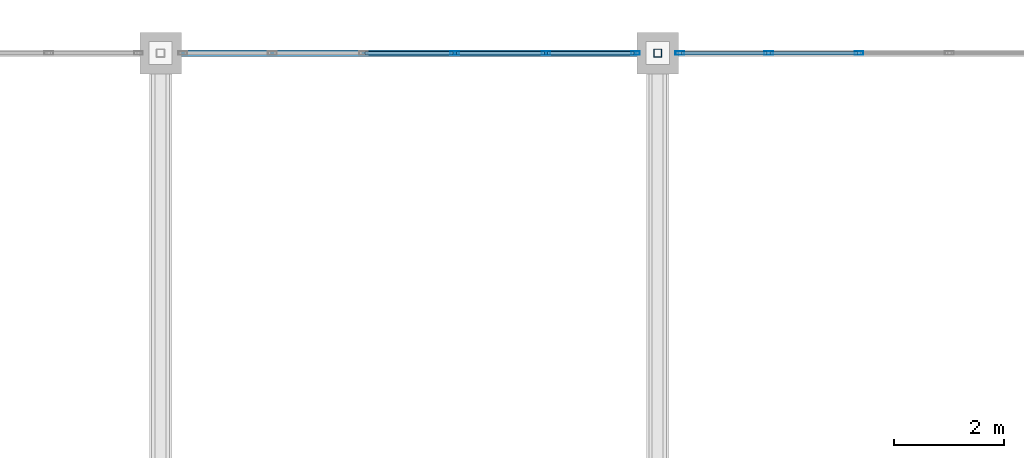
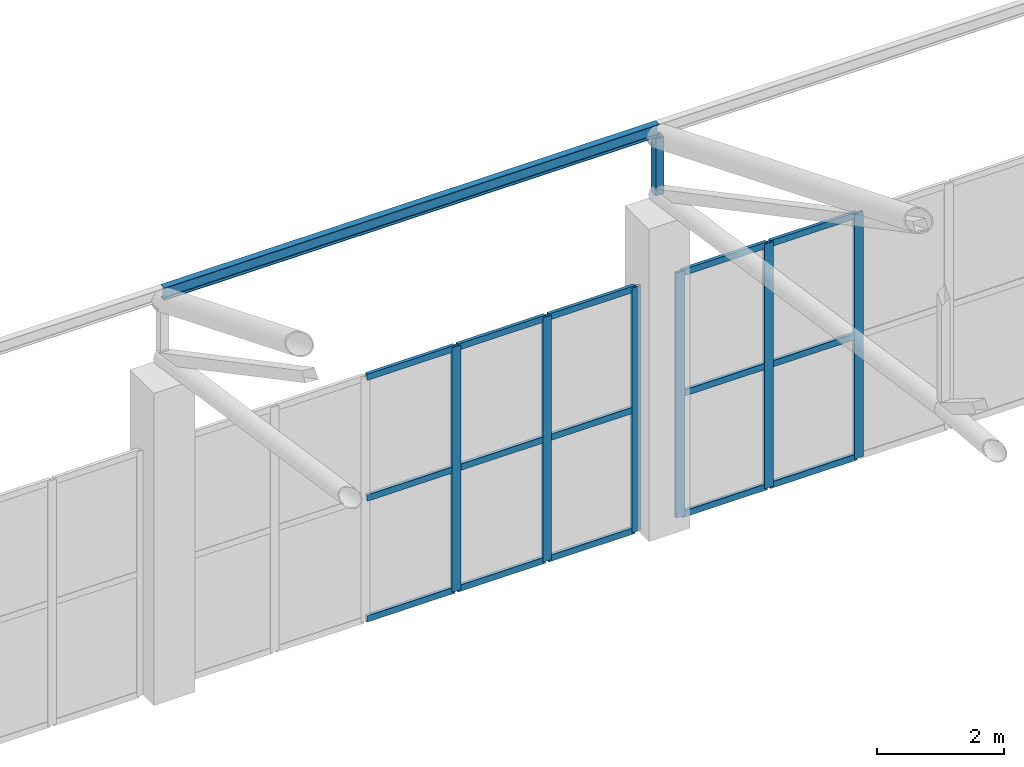
# One storey, part 162 of 223: 23 members, 2 elements without a shape of their own.
"""IFC4 building model written with IfcOpenShell, lengths in metres."""

from ifc_helpers import new_model, si_unit, direction, frame, origin, origin_2d, place, context, subcontext, project, spatial, hollow_rectangle, i_section, extrude, material, layer, layer_set, material_profile, profile_set, type_object, element, aggregate, save


model = new_model("IFC4")

# Units and contexts
model_context = context("Model", 3, precision=1e-05, world=origin(), true_north=direction((0.0, 1.0)))
body_context = subcontext(model_context, "Body", "Model", "MODEL_VIEW")
ifc_project = project(units=[si_unit("LENGTHUNIT", "METRE"), si_unit("AREAUNIT", "SQUARE_METRE"), si_unit("VOLUMEUNIT", "CUBIC_METRE"), si_unit("PLANEANGLEUNIT", "RADIAN"), si_unit("MASSUNIT", "GRAM", prefix="KILO")], contexts=[model_context])

# Site, building, storey
site_placement = place(None, origin())
site = spatial("IfcSite", under=ifc_project, at=site_placement, CompositionType="ELEMENT")
building_placement = place(site_placement, origin())
building = spatial("IfcBuilding", under=site, at=building_placement, Name="Dornveld Trade and Exhibition Forum", CompositionType="ELEMENT")
storey_placement = place(building_placement, frame((0.0, 0.0, 6.0)))
storey = spatial("IfcBuildingStorey", under=building, at=storey_placement, Name="L01", CompositionType="ELEMENT", Elevation=6.0)

# Curtain wall, members
ifc_material_1 = material(Name="Dark-bronze anodised aluminium and low-E glass", Category="aluminium")
ifc_layer_1 = layer(ifc_material_1, 0.196044921875)
ifc_layer_set_1 = layer_set([ifc_layer_1], Name="Dark-bronze anodised aluminium and low-E glass")
curtain_wall_type_1 = type_object("IfcCurtainWallType", Name="CW-SYS-18", PredefinedType="USERDEFINED", material=ifc_layer_set_1)
curtain_wall_1_placement = place(storey_placement, origin())
curtain_wall_1 = element("IfcCurtainWall", 1, at=curtain_wall_1_placement, inside=storey, type_object=curtain_wall_type_1, Name="L01 unitised curtain wall 144", ObjectType="UNITISED_CURTAIN_WALL", PredefinedType="USERDEFINED")
ifc_material_2 = material(Name="Dark-bronze anodised aluminium", Category="aluminium")
ifc_material_profile_1 = material_profile(ifc_material_2, hollow_rectangle(XDim=0.06005859375, YDim=0.159912109375, WallThickness=0.00390625, at=origin_2d()), Name="RHS 160x60x4")
ifc_profile_set_1 = profile_set([ifc_material_profile_1], Name="Dark-bronze anodised aluminium")
member_type_1 = type_object("IfcMemberType", Name="CW-MUL-160", PredefinedType="MULLION", material=ifc_profile_set_1)
member_1_placement = place(storey_placement, frame((161.59912109375, 162.0, -0.00390625), z_axis=(0.0, 0.0, 1.0), x_axis=(0.0, -1.0, 0.0)))
member_1 = element("IfcMember", 2, at=member_1_placement, type_object=member_type_1, Name="CW-18 mullion 1", PredefinedType="MULLION", context=body_context, shape_type="SweptSolid", body=[
    extrude(hollow_rectangle(XDim=0.06005859375, YDim=0.159912109375, WallThickness=0.00390625, at=origin_2d()), origin(), (0.0, 0.0, 1.0), 4.703857421875),
])
member_2_placement = place(storey_placement, frame((159.977294921875, 162.0, -0.00390625), z_axis=(0.0, 0.0, 1.0), x_axis=(0.0, -1.0, 0.0)))
member_2 = element("IfcMember", 3, at=member_2_placement, type_object=member_type_1, Name="CW-18 mullion 2", PredefinedType="MULLION", context=body_context, shape_type="SweptSolid", body=[
    extrude(hollow_rectangle(XDim=0.06005859375, YDim=0.159912109375, WallThickness=0.00390625, at=origin_2d()), origin(), (0.0, 0.0, 1.0), 4.703857421875),
])
member_3_placement = place(storey_placement, frame((158.32568359375, 162.0, -0.00390625), z_axis=(0.0, 0.0, 1.0), x_axis=(0.0, -1.0, 0.0)))
member_3 = element("IfcMember", 4, at=member_3_placement, type_object=member_type_1, Name="CW-18 mullion 3", PredefinedType="MULLION", context=body_context, shape_type="SweptSolid", body=[
    extrude(hollow_rectangle(XDim=0.06005859375, YDim=0.159912109375, WallThickness=0.00390625, at=origin_2d()), origin(), (0.0, 0.0, 1.0), 4.703857421875),
])

ifc_material_3 = material(Name="Dark-bronze anodised aluminium and low-E glass", Category="aluminium")
ifc_layer_2 = layer(ifc_material_3, 0.14501953125)
ifc_layer_set_2 = layer_set([ifc_layer_2], Name="Dark-bronze anodised aluminium and low-E glass")
curtain_wall_type_2 = type_object("IfcCurtainWallType", Name="CW-SYS-01", PredefinedType="USERDEFINED", material=ifc_layer_set_2)
curtain_wall_2_placement = place(storey_placement, origin())
curtain_wall_2 = element("IfcCurtainWall", 5, at=curtain_wall_2_placement, inside=storey, type_object=curtain_wall_type_2, Name="L01 unitised curtain wall 145", ObjectType="UNITISED_CURTAIN_WALL", PredefinedType="USERDEFINED")
member_4_placement = place(storey_placement, frame((165.644287109375, 162.0, -0.00390625), z_axis=(0.0, 0.0, 1.0), x_axis=(0.0, -1.0, 0.0)))
member_4 = element("IfcMember", 6, at=member_4_placement, type_object=member_type_1, Name="CW-01 mullion 4", PredefinedType="MULLION", context=body_context, shape_type="SweptSolid", body=[
    extrude(hollow_rectangle(XDim=0.06005859375, YDim=0.159912109375, WallThickness=0.00390625, at=origin_2d()), origin(), (0.0, 0.0, 1.0), 4.703857421875),
])
member_5_placement = place(storey_placement, frame((164.007568359375, 162.0, -0.00390625), z_axis=(0.0, 0.0, 1.0), x_axis=(0.0, -1.0, 0.0)))
member_5 = element("IfcMember", 7, at=member_5_placement, type_object=member_type_1, Name="CW-01 mullion 5", PredefinedType="MULLION", context=body_context, shape_type="SweptSolid", body=[
    extrude(hollow_rectangle(XDim=0.06005859375, YDim=0.159912109375, WallThickness=0.00390625, at=origin_2d()), origin(), (0.0, 0.0, 1.0), 4.703857421875),
])
member_6_placement = place(storey_placement, frame((162.40087890625, 162.0, -0.00390625), z_axis=(0.0, 0.0, 1.0), x_axis=(0.0, -1.0, 0.0)))
member_6 = element("IfcMember", 8, at=member_6_placement, type_object=member_type_1, Name="CW-01 mullion 6", PredefinedType="MULLION", context=body_context, shape_type="SweptSolid", body=[
    extrude(hollow_rectangle(XDim=0.06005859375, YDim=0.159912109375, WallThickness=0.00390625, at=origin_2d()), origin(), (0.0, 0.0, 1.0), 4.703857421875),
])

# Member
ifc_material_4 = material(Name="Dark-bronze anodised aluminium", Category="aluminium")
ifc_material_profile_2 = material_profile(ifc_material_4, hollow_rectangle(XDim=0.06005859375, YDim=0.1201171875, WallThickness=0.00390625, at=origin_2d()), Name="RHS 120x60x4")
ifc_profile_set_2 = profile_set([ifc_material_profile_2], Name="Dark-bronze anodised aluminium")
member_type_2 = type_object("IfcMemberType", Name="CW-TRN-120", PredefinedType="USERDEFINED", material=ifc_profile_set_2)
member_7_placement = place(storey_placement, frame((161.569091796875, 162.0, 0.02587890625), z_axis=(-1.0, 0.0, 0.0), x_axis=(0.0, -1.0, 0.0)))
member_7 = element("IfcMember", 9, at=member_7_placement, type_object=member_type_2, Name="CW-18 transom 1.1", ObjectType="TRANSOM", PredefinedType="USERDEFINED", context=body_context, shape_type="SweptSolid", body=[
    extrude(hollow_rectangle(XDim=0.06005859375, YDim=0.1201171875, WallThickness=0.00390625, at=origin_2d()), origin(), (0.0, 0.0, 1.0), 1.561767578125),
])

member_8_placement = place(storey_placement, frame((161.569091796875, 162.0, 2.347900390625), z_axis=(-1.0, 0.0, 0.0), x_axis=(0.0, -1.0, 0.0)))
member_8 = element("IfcMember", 10, at=member_8_placement, type_object=member_type_2, Name="CW-18 transom 1.2", ObjectType="TRANSOM", PredefinedType="USERDEFINED", context=body_context, shape_type="SweptSolid", body=[
    extrude(hollow_rectangle(XDim=0.06005859375, YDim=0.1201171875, WallThickness=0.00390625, at=origin_2d()), origin(), (0.0, 0.0, 1.0), 1.561767578125),
])

member_9_placement = place(storey_placement, frame((161.569091796875, 162.0, 4.669921875), z_axis=(-1.0, 0.0, 0.0), x_axis=(0.0, -1.0, 0.0)))
member_9 = element("IfcMember", 11, at=member_9_placement, type_object=member_type_2, Name="CW-18 transom 1.3", ObjectType="TRANSOM", PredefinedType="USERDEFINED", context=body_context, shape_type="SweptSolid", body=[
    extrude(hollow_rectangle(XDim=0.06005859375, YDim=0.1201171875, WallThickness=0.00390625, at=origin_2d()), origin(), (0.0, 0.0, 1.0), 1.561767578125),
])

member_10_placement = place(storey_placement, frame((159.947509765625, 162.0, 0.02587890625), z_axis=(-1.0, 0.0, 0.0), x_axis=(0.0, -1.0, 0.0)))
member_10 = element("IfcMember", 12, at=member_10_placement, type_object=member_type_2, Name="CW-18 transom 2.1", ObjectType="TRANSOM", PredefinedType="USERDEFINED", context=body_context, shape_type="SweptSolid", body=[
    extrude(hollow_rectangle(XDim=0.06005859375, YDim=0.1201171875, WallThickness=0.00390625, at=origin_2d()), origin(), (0.0, 0.0, 1.0), 1.591796875),
])

member_11_placement = place(storey_placement, frame((159.947509765625, 162.0, 2.347900390625), z_axis=(-1.0, 0.0, 0.0), x_axis=(0.0, -1.0, 0.0)))
member_11 = element("IfcMember", 13, at=member_11_placement, type_object=member_type_2, Name="CW-18 transom 2.2", ObjectType="TRANSOM", PredefinedType="USERDEFINED", context=body_context, shape_type="SweptSolid", body=[
    extrude(hollow_rectangle(XDim=0.06005859375, YDim=0.1201171875, WallThickness=0.00390625, at=origin_2d()), origin(), (0.0, 0.0, 1.0), 1.591796875),
])

member_12_placement = place(storey_placement, frame((159.947509765625, 162.0, 4.669921875), z_axis=(-1.0, 0.0, 0.0), x_axis=(0.0, -1.0, 0.0)))
member_12 = element("IfcMember", 14, at=member_12_placement, type_object=member_type_2, Name="CW-18 transom 2.3", ObjectType="TRANSOM", PredefinedType="USERDEFINED", context=body_context, shape_type="SweptSolid", body=[
    extrude(hollow_rectangle(XDim=0.06005859375, YDim=0.1201171875, WallThickness=0.00390625, at=origin_2d()), origin(), (0.0, 0.0, 1.0), 1.591796875),
])

member_13_placement = place(storey_placement, frame((158.2958984375, 162.0, 0.02587890625), z_axis=(-1.0, 0.0, 0.0), x_axis=(0.0, -1.0, 0.0)))
member_13 = element("IfcMember", 15, at=member_13_placement, type_object=member_type_2, Name="CW-18 transom 3.1", ObjectType="TRANSOM", PredefinedType="USERDEFINED", context=body_context, shape_type="SweptSolid", body=[
    extrude(hollow_rectangle(XDim=0.06005859375, YDim=0.1201171875, WallThickness=0.00390625, at=origin_2d()), origin(), (0.0, 0.0, 1.0), 1.591796875),
])

member_14_placement = place(storey_placement, frame((158.2958984375, 162.0, 2.347900390625), z_axis=(-1.0, 0.0, 0.0), x_axis=(0.0, -1.0, 0.0)))
member_14 = element("IfcMember", 16, at=member_14_placement, type_object=member_type_2, Name="CW-18 transom 3.2", ObjectType="TRANSOM", PredefinedType="USERDEFINED", context=body_context, shape_type="SweptSolid", body=[
    extrude(hollow_rectangle(XDim=0.06005859375, YDim=0.1201171875, WallThickness=0.00390625, at=origin_2d()), origin(), (0.0, 0.0, 1.0), 1.591796875),
])

member_15_placement = place(storey_placement, frame((158.2958984375, 162.0, 4.669921875), z_axis=(-1.0, 0.0, 0.0), x_axis=(0.0, -1.0, 0.0)))
member_15 = element("IfcMember", 17, at=member_15_placement, type_object=member_type_2, Name="CW-18 transom 3.3", ObjectType="TRANSOM", PredefinedType="USERDEFINED", context=body_context, shape_type="SweptSolid", body=[
    extrude(hollow_rectangle(XDim=0.06005859375, YDim=0.1201171875, WallThickness=0.00390625, at=origin_2d()), origin(), (0.0, 0.0, 1.0), 1.591796875),
])

aggregate(curtain_wall_1, [member_1, member_2, member_3, member_7, member_8, member_9, member_10, member_11, member_12, member_13, member_14, member_15])

member_16_placement = place(storey_placement, frame((165.6142578125, 162.0, 0.02587890625), z_axis=(-1.0, 0.0, 0.0), x_axis=(0.0, -1.0, 0.0)))
member_16 = element("IfcMember", 18, at=member_16_placement, type_object=member_type_2, Name="CW-01 transom 4.1", ObjectType="TRANSOM", PredefinedType="USERDEFINED", context=body_context, shape_type="SweptSolid", body=[
    extrude(hollow_rectangle(XDim=0.06005859375, YDim=0.1201171875, WallThickness=0.00390625, at=origin_2d()), origin(), (0.0, 0.0, 1.0), 1.57666015625),
])

member_17_placement = place(storey_placement, frame((165.6142578125, 162.0, 2.347900390625), z_axis=(-1.0, 0.0, 0.0), x_axis=(0.0, -1.0, 0.0)))
member_17 = element("IfcMember", 19, at=member_17_placement, type_object=member_type_2, Name="CW-01 transom 4.2", ObjectType="TRANSOM", PredefinedType="USERDEFINED", context=body_context, shape_type="SweptSolid", body=[
    extrude(hollow_rectangle(XDim=0.06005859375, YDim=0.1201171875, WallThickness=0.00390625, at=origin_2d()), origin(), (0.0, 0.0, 1.0), 1.57666015625),
])

member_18_placement = place(storey_placement, frame((165.6142578125, 162.0, 4.669921875), z_axis=(-1.0, 0.0, 0.0), x_axis=(0.0, -1.0, 0.0)))
member_18 = element("IfcMember", 20, at=member_18_placement, type_object=member_type_2, Name="CW-01 transom 4.3", ObjectType="TRANSOM", PredefinedType="USERDEFINED", context=body_context, shape_type="SweptSolid", body=[
    extrude(hollow_rectangle(XDim=0.06005859375, YDim=0.1201171875, WallThickness=0.00390625, at=origin_2d()), origin(), (0.0, 0.0, 1.0), 1.57666015625),
])

member_19_placement = place(storey_placement, frame((163.9775390625, 162.0, 0.02587890625), z_axis=(-1.0, 0.0, 0.0), x_axis=(0.0, -1.0, 0.0)))
member_19 = element("IfcMember", 21, at=member_19_placement, type_object=member_type_2, Name="CW-01 transom 5.1", ObjectType="TRANSOM", PredefinedType="USERDEFINED", context=body_context, shape_type="SweptSolid", body=[
    extrude(hollow_rectangle(XDim=0.06005859375, YDim=0.1201171875, WallThickness=0.00390625, at=origin_2d()), origin(), (0.0, 0.0, 1.0), 1.546630859375),
])

member_20_placement = place(storey_placement, frame((163.9775390625, 162.0, 2.347900390625), z_axis=(-1.0, 0.0, 0.0), x_axis=(0.0, -1.0, 0.0)))
member_20 = element("IfcMember", 22, at=member_20_placement, type_object=member_type_2, Name="CW-01 transom 5.2", ObjectType="TRANSOM", PredefinedType="USERDEFINED", context=body_context, shape_type="SweptSolid", body=[
    extrude(hollow_rectangle(XDim=0.06005859375, YDim=0.1201171875, WallThickness=0.00390625, at=origin_2d()), origin(), (0.0, 0.0, 1.0), 1.546630859375),
])

member_21_placement = place(storey_placement, frame((163.9775390625, 162.0, 4.669921875), z_axis=(-1.0, 0.0, 0.0), x_axis=(0.0, -1.0, 0.0)))
member_21 = element("IfcMember", 23, at=member_21_placement, type_object=member_type_2, Name="CW-01 transom 5.3", ObjectType="TRANSOM", PredefinedType="USERDEFINED", context=body_context, shape_type="SweptSolid", body=[
    extrude(hollow_rectangle(XDim=0.06005859375, YDim=0.1201171875, WallThickness=0.00390625, at=origin_2d()), origin(), (0.0, 0.0, 1.0), 1.546630859375),
])

aggregate(curtain_wall_2, [member_4, member_5, member_6, member_16, member_17, member_18, member_19, member_20, member_21])

# Members
ifc_material_5 = material(Name="Steel S355J2", Category="steel")
ifc_material_profile_3 = material_profile(ifc_material_5, hollow_rectangle(XDim=0.14990234375, YDim=0.14990234375, WallThickness=0.008056640625, at=origin_2d()), Name="SHS 150x150x8")
ifc_profile_set_3 = profile_set([ifc_material_profile_3], Name="Steel S355J2")
member_type_3 = type_object("IfcMemberType", Name="MEM-ARCH-STR", PredefinedType="STRUT", material=ifc_profile_set_3)
member_22_placement = place(storey_placement, frame((162.0, 162.0, 6.35009765625), z_axis=(0.0, 0.0, 1.0), x_axis=(1.0, 0.0, 0.0)))
element("IfcMember", 24, at=member_22_placement, inside=storey, type_object=member_type_3, Name="H1 truss 8 end strut", PredefinedType="STRUT", context=body_context, shape_type="SweptSolid", body=[
    extrude(hollow_rectangle(XDim=0.14990234375, YDim=0.14990234375, WallThickness=0.008056640625, at=origin_2d()), origin(), (0.0, 0.0, 1.0), 1.099853515625),
])
ifc_material_6 = material(Name="Steel S355J2", Category="steel")
ifc_material_profile_4 = material_profile(ifc_material_6, i_section(OverallWidth=0.1201171875, OverallDepth=0.239990234375, WebThickness=0.006103515625, FlangeThickness=0.009765625, FilletRadius=0.014892578125, at=origin_2d()), Name="IPE 240")
ifc_profile_set_4 = profile_set([ifc_material_profile_4], Name="Steel S355J2")
member_type_4 = type_object("IfcMemberType", Name="MEM-PURLIN-240", PredefinedType="PURLIN", material=ifc_profile_set_4)
member_23_placement = place(storey_placement, frame((153.0, 162.0, 7.58203125), z_axis=(1.0, 0.0, 0.0), x_axis=(0.0, 1.0, 0.0)))
element("IfcMember", 25, at=member_23_placement, inside=storey, type_object=member_type_4, Name="H1 bay 7 roof purlin 7", PredefinedType="PURLIN", context=body_context, shape_type="SweptSolid", body=[
    extrude(i_section(OverallWidth=0.1201171875, OverallDepth=0.239990234375, WebThickness=0.006103515625, FlangeThickness=0.009765625, FilletRadius=0.014892578125, at=origin_2d()), origin(), (0.0, 0.0, 1.0), 9.0),
])

save(model, "model.ifc")
